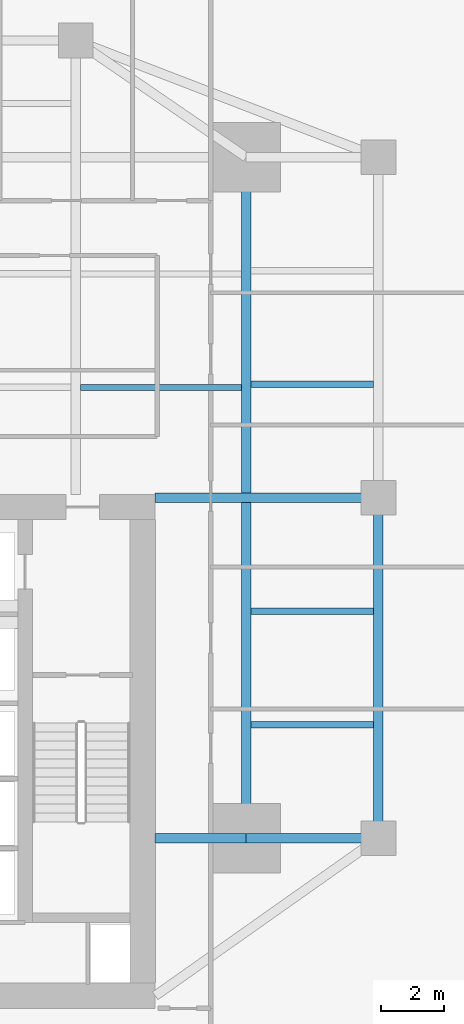
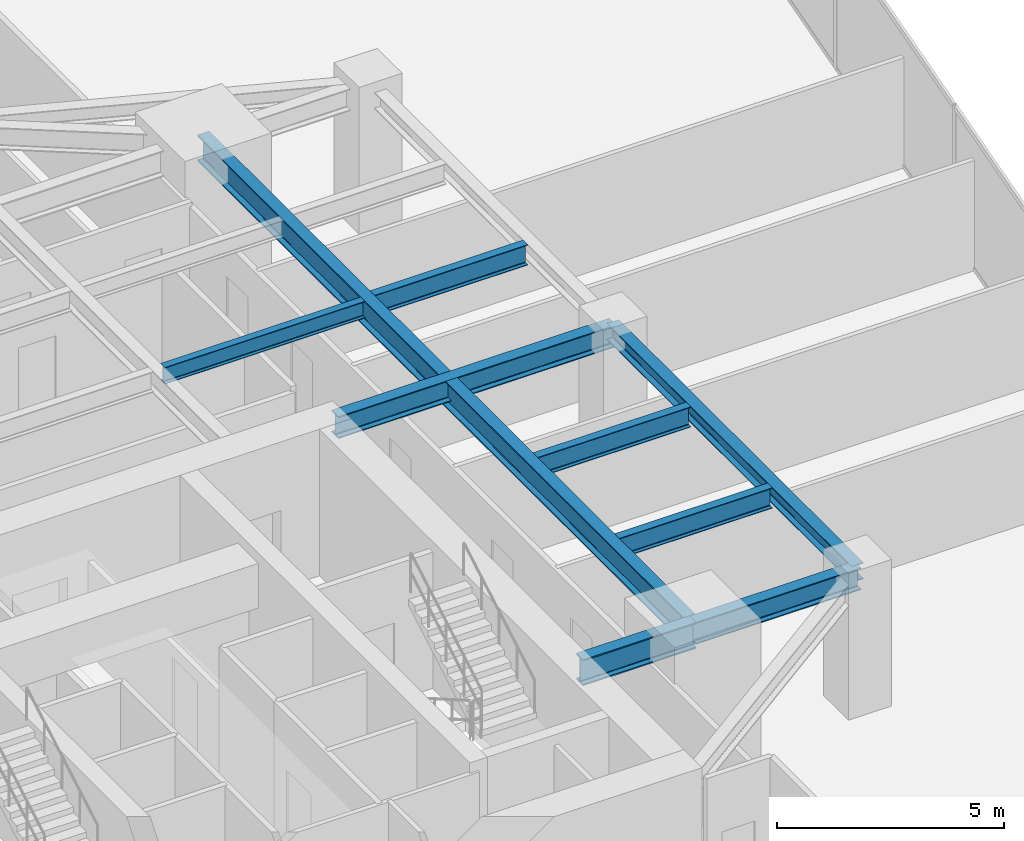
# One storey, part 13 of 29: 9 beams.
"""IFC4 building model written with IfcOpenShell, lengths in metres."""

import ifcopenshell
import ifcopenshell.guid

model = None  # the IFC model being written
_history = None  # IfcOwnerHistory: only IFC2X3 demands one
_inside = {}  # id of a spatial element -> (the spatial element, [elements in it])
_under = {}  # id of a project, library or spatial element -> (it, [spatial elements below it])
_declared = {}  # id of a project -> (the project, [libraries it declares])
_typed = {}  # id of a type object -> (the type object, [elements of that type])
_made_of = {}  # id of a material, layer set ... -> (it, [elements and type objects made of it])


def new_model(schema):
    """Start an empty IFC model of exactly this schema.

    Asked for "IFC4X3", IfcOpenShell would pick the latest addendum, in which some entities
    have other attributes; the version numbers below select the first issue.
    IFC2X3 requires an IfcOwnerHistory on every rooted entity: one is made here for all.
    """
    global model, _history
    if schema == "IFC4X3":
        model = ifcopenshell.file(schema_version=(4, 3, 0, 0))
    else:
        model = ifcopenshell.file(schema=schema)
    _inside.clear()
    _under.clear()
    _declared.clear()
    _typed.clear()
    _made_of.clear()
    _history = None
    if model.schema == "IFC2X3":
        org = make("IfcOrganization", Name="unknown")
        user = make(
            "IfcPersonAndOrganization",
            ThePerson=make("IfcPerson", FamilyName="unknown"),
            TheOrganization=org,
        )
        app = make(
            "IfcApplication",
            ApplicationDeveloper=org,
            Version="unknown",
            ApplicationFullName="unknown",
            ApplicationIdentifier="unknown",
        )
        _history = make(
            "IfcOwnerHistory",
            OwningUser=user,
            OwningApplication=app,
            ChangeAction="ADDED",
            CreationDate=0,
        )
    return model


def make(cls, **values):
    """One entity of the class cls with the attributes given. An attribute that is None is left unset."""
    return model.create_entity(
        cls, **{name: value for name, value in values.items() if value is not None}
    )


def rooted(cls, **values):
    """An entity with a GlobalId (a new one), such as an element, a storey or a relation."""
    return make(cls, GlobalId=ifcopenshell.guid.new(), OwnerHistory=_history, **values)


def si_unit(unit_type, name, prefix=None):
    """IfcSIUnit, for example si_unit("LENGTHUNIT", "METRE", prefix="MILLI")."""
    return make("IfcSIUnit", UnitType=unit_type, Prefix=prefix, Name=name)


def assignment(units):
    """IfcUnitAssignment: the units of a project."""
    return None if units is None else make("IfcUnitAssignment", Units=units)


def point(xyz):
    """IfcCartesianPoint."""
    return None if xyz is None else make("IfcCartesianPoint", Coordinates=xyz)


def direction(xyz):
    """IfcDirection."""
    return None if xyz is None else make("IfcDirection", DirectionRatios=xyz)


def frame(location, z_axis=None, x_axis=None):
    """IfcAxis2Placement3D, a coordinate frame: its origin and axes. An axis left out is left unset."""
    return make(
        "IfcAxis2Placement3D",
        Location=point(location),
        Axis=direction(z_axis),
        RefDirection=direction(x_axis),
    )


def frame_2d(location, x_axis=None):
    """IfcAxis2Placement2D, a coordinate frame in the plane: its origin and x axis."""
    return make(
        "IfcAxis2Placement2D", Location=point(location), RefDirection=direction(x_axis)
    )


def origin():
    """The frame at (0, 0, 0) with its axes left unset."""
    return frame((0.0, 0.0, 0.0))


def origin_2d():
    """The frame at (0, 0) in the plane with its x axis left unset."""
    return frame_2d((0.0, 0.0))


def place(relative_to, where):
    """IfcLocalPlacement: puts the frame where relative to a parent placement (None: the world)."""
    return make(
        "IfcLocalPlacement", PlacementRelTo=relative_to, RelativePlacement=where
    )


def context(
    kind, dimensions, precision=None, world=None, true_north=None, identifier=None
):
    """IfcGeometricRepresentationContext, for example the 3D "Model" context."""
    return make(
        "IfcGeometricRepresentationContext",
        ContextIdentifier=identifier,
        ContextType=kind,
        CoordinateSpaceDimension=dimensions,
        Precision=precision,
        WorldCoordinateSystem=world,
        TrueNorth=true_north,
    )


def subcontext(parent, identifier, kind, view, scale=None):
    """IfcGeometricRepresentationSubContext, for example "Body" below "Model"."""
    return make(
        "IfcGeometricRepresentationSubContext",
        ContextIdentifier=identifier,
        ContextType=kind,
        ParentContext=parent,
        TargetScale=scale,
        TargetView=view,
    )


def project(units=None, contexts=None):
    """IfcProject with its units and contexts."""
    return rooted(
        "IfcProject",
        Name="project",
        RepresentationContexts=contexts,
        UnitsInContext=assignment(units),
    )


def spatial(cls, under=None, at=None, **own):
    """A site, building, storey or space (cls), placed at a placement, below another one or the project."""
    s = rooted(cls, ObjectPlacement=at, **own)
    if under is not None:
        _under.setdefault(under.id(), (under, []))[1].append(s)
    return s


def profile(cls, at=None, kind="AREA", **sizes):
    """A parametric profile (cls). Its sizes go by their IFC names, for example OverallWidth=200.0."""
    return make(cls, ProfileType=kind, Position=at, **sizes)


def i_section(**sizes):
    """IfcIShapeProfileDef."""
    return profile("IfcIShapeProfileDef", **sizes)


def extrude(swept, where, along, depth):
    """IfcExtrudedAreaSolid: the profile swept, set in the frame where, extruded along a direction by depth."""
    return make(
        "IfcExtrudedAreaSolid",
        SweptArea=swept,
        Position=where,
        ExtrudedDirection=direction(along),
        Depth=depth,
    )


def shape(context_of_items, identifier, shape_type, items):
    """IfcShapeRepresentation: the items that make up one representation, for example the "Body"."""
    return make(
        "IfcShapeRepresentation",
        ContextOfItems=context_of_items,
        RepresentationIdentifier=identifier,
        RepresentationType=shape_type,
        Items=items,
    )


def source(mapping_origin, context_of_items, identifier, shape_type, items):
    """IfcRepresentationMap: a shape defined once, which mapped items show again and again."""
    return make(
        "IfcRepresentationMap",
        MappingOrigin=mapping_origin,
        MappedRepresentation=shape(context_of_items, identifier, shape_type, items),
    )


def transform(
    local_origin,
    x_axis=None,
    y_axis=None,
    z_axis=None,
    scale=None,
    scale2=None,
    scale3=None,
    uniform=True,
):
    """IfcCartesianTransformationOperator3D, or its non-uniform kind. x_axis, y_axis, z_axis: its Axis1, 2, 3."""
    if uniform:
        return make(
            "IfcCartesianTransformationOperator3D",
            Axis1=direction(x_axis),
            Axis2=direction(y_axis),
            LocalOrigin=point(local_origin),
            Scale=scale,
            Axis3=direction(z_axis),
        )
    return make(
        "IfcCartesianTransformationOperator3DnonUniform",
        Axis1=direction(x_axis),
        Axis2=direction(y_axis),
        LocalOrigin=point(local_origin),
        Scale=scale,
        Axis3=direction(z_axis),
        Scale2=scale2,
        Scale3=scale3,
    )


def mapped(mapping_source, mapping_target):
    """IfcMappedItem: shows the shape of a source again, moved by a transform."""
    return make(
        "IfcMappedItem", MappingSource=mapping_source, MappingTarget=mapping_target
    )


def material(Name=None, Category=None):
    """IfcMaterial."""
    return make("IfcMaterial", Name=Name, Category=Category)


def material_profile(
    of_material, cross_section, Name=None, Category=None, Priority=None
):
    """IfcMaterialProfile: a cross section and its material."""
    return make(
        "IfcMaterialProfile",
        Name=Name,
        Material=of_material,
        Profile=cross_section,
        Priority=Priority,
        Category=Category,
    )


def profile_set(profiles, Name=None, composite=None):
    """IfcMaterialProfileSet."""
    return make(
        "IfcMaterialProfileSet",
        Name=Name,
        MaterialProfiles=profiles,
        CompositeProfile=composite,
    )


def made_of(thing, what):
    """Note that an element or type object is made of a material, layer set ...; save() writes the relation."""
    if what is not None:
        _made_of.setdefault(what.id(), (what, []))[1].append(thing)
    return thing


def type_object(cls, material=None, **own):
    """A type object (cls), such as IfcWallType, which elements share."""
    return made_of(rooted(cls, **own), material)


def type_shapes(of_type, sources):
    """Give a type object the sources (RepresentationMaps) that its elements show as mapped items."""
    of_type.RepresentationMaps = sources


def element(
    cls,
    number,
    at=None,
    inside=None,
    cuts=None,
    type_object=None,
    material=None,
    context=None,
    identifier="Body",
    shape_type=None,
    held_by="IfcProductDefinitionShape",
    body=None,
    shapes=None,
    **own,
):
    """One element of the class cls, such as IfcWall. Its Tag is "e" and its number.

    at: its placement. inside: the storey or other place that contains it. cuts: it is an
    opening in that element (IfcRelVoidsElement). A single representation is given by context,
    identifier, shape_type and body (its items); several are given by shapes. held_by: the class
    of the entity that holds the representations. save() writes the other relations.
    """
    e = rooted(cls, Tag="e%d" % number, ObjectPlacement=at, **own)
    if body is not None:
        shapes = [shape(context, identifier, shape_type, body)]
    if shapes is not None:
        e.Representation = make(held_by, Representations=shapes)
    if inside is not None:
        _inside.setdefault(inside.id(), (inside, []))[1].append(e)
    if cuts is not None:
        rooted(
            "IfcRelVoidsElement", RelatingBuildingElement=cuts, RelatedOpeningElement=e
        )
    if type_object is not None:
        _typed.setdefault(type_object.id(), (type_object, []))[1].append(e)
    return made_of(e, material)


def aggregate(whole, parts):
    """IfcRelAggregates: a whole, such as a stair, and the parts it consists of."""
    return rooted("IfcRelAggregates", RelatingObject=whole, RelatedObjects=parts)


def save(model, path):
    """Write the relations noted so far, then the file.

    IfcRelAggregates (storeys below a building ...), IfcRelContainedInSpatialStructure (elements
    in a storey), IfcRelDefinesByType, IfcRelAssociatesMaterial and IfcRelDeclares: one each for
    every whole, place, type object, material and project.
    """
    for whole, parts in _under.values():
        aggregate(whole, parts)
    for where, things in _inside.values():
        rooted(
            "IfcRelContainedInSpatialStructure",
            RelatedElements=things,
            RelatingStructure=where,
        )
    for kind, things in _typed.values():
        rooted("IfcRelDefinesByType", RelatedObjects=things, RelatingType=kind)
    for what, things in _made_of.values():
        rooted("IfcRelAssociatesMaterial", RelatedObjects=things, RelatingMaterial=what)
    for by, libraries in _declared.values():
        rooted("IfcRelDeclares", RelatingContext=by, RelatedDefinitions=libraries)
    model.write(path)


model = new_model("IFC4")

# Units and contexts
model_context = context("Model", 3, precision=1e-05, world=origin(), true_north=direction((0.0, 1.0)))
body_context = subcontext(model_context, "Body", "Model", "MODEL_VIEW")
ifc_project = project(units=[si_unit("LENGTHUNIT", "METRE"), si_unit("AREAUNIT", "SQUARE_METRE"), si_unit("VOLUMEUNIT", "CUBIC_METRE"), si_unit("PLANEANGLEUNIT", "RADIAN"), si_unit("MASSUNIT", "GRAM", prefix="KILO")], contexts=[model_context])

# Site, building, storey
site_placement = place(None, origin())
site = spatial("IfcSite", under=ifc_project, at=site_placement, CompositionType="ELEMENT")
building_placement = place(site_placement, origin())
building = spatial("IfcBuilding", under=site, at=building_placement, Name="Krantzveldt Concourse Tower", CompositionType="ELEMENT")
storey_placement = place(building_placement, frame((0.0, 0.0, 72.39990234375)))
storey = spatial("IfcBuildingStorey", under=building, at=storey_placement, Name="L17", CompositionType="ELEMENT", Elevation=72.39990234375)

# Beams
ifc_material_1 = material(Name="Steel S355J2", Category="steel")
ifc_material_profile_1 = material_profile(ifc_material_1, i_section(OverallWidth=0.300048828125, OverallDepth=0.699951171875, WebThickness=0.01708984375, FlangeThickness=0.031982421875, FilletRadius=0.027099609375, at=origin_2d()), Name="Steel S355J2", Category="steel")
ifc_profile_set_1 = profile_set([ifc_material_profile_1], Name="Steel S355J2 - HEB 700")
beam_type_1 = type_object("IfcBeamType", Name="BM-B-HEB700", PredefinedType="BEAM", material=ifc_profile_set_1)
shared_shape_1 = source(origin(), body_context, "Body", "SweptSolid", [
    extrude(i_section(OverallWidth=0.300048828125, OverallDepth=0.699951171875, WebThickness=0.01708984375, FlangeThickness=0.031982421875, FilletRadius=0.027099609375, at=origin_2d()), origin(), (0.0, 0.0, 1.0), 2.880126953125),
])
beam_1_placement = place(storey_placement, frame((43.919921875, 15.89990234375, 3.320068359375), z_axis=(1.0, 0.0, 0.0), x_axis=(0.0, 1.0, 0.0)))
element("IfcBeam", 1, at=beam_1_placement, inside=storey, type_object=beam_type_1, Name="L17 Tower Girder BG-CE1", PredefinedType="BEAM", context=body_context, shape_type="MappedRepresentation", body=[
    mapped(shared_shape_1, transform((0.0, 0.0, 0.0), x_axis=(1.0, 0.0, 0.0), y_axis=(0.0, 1.0, 0.0), z_axis=(0.0, 0.0, 1.0), scale=1.0)),
])
shared_shape_2 = source(origin(), body_context, "Body", "SweptSolid", [
    extrude(i_section(OverallWidth=0.300048828125, OverallDepth=0.699951171875, WebThickness=0.01708984375, FlangeThickness=0.031982421875, FilletRadius=0.027099609375, at=origin_2d()), origin(), (0.0, 0.0, 1.0), 21.60009765625),
])
type_shapes(beam_type_1, [shared_shape_1, shared_shape_2])
beam_2_placement = place(storey_placement, frame((46.800048828125, 15.89990234375, 3.320068359375), z_axis=(0.0, 1.0, 0.0), x_axis=(-1.0, 0.0, 0.0)))
element("IfcBeam", 2, at=beam_2_placement, inside=storey, type_object=beam_type_1, Name="L17 Tower Girder BG-ME", PredefinedType="BEAM", context=body_context, shape_type="MappedRepresentation", body=[
    mapped(shared_shape_2, transform((0.0, 0.0, 0.0), x_axis=(1.0, 0.0, 0.0), y_axis=(0.0, 1.0, 0.0), z_axis=(0.0, 0.0, 1.0), scale=1.0)),
])
ifc_material_2 = material(Name="Steel S355JR", Category="steel")
ifc_material_profile_2 = material_profile(ifc_material_2, i_section(OverallWidth=0.300048828125, OverallDepth=0.590087890625, WebThickness=0.012939453125, FlangeThickness=0.02490234375, FilletRadius=0.027099609375, at=origin_2d()), Name="Steel S355JR", Category="steel")
ifc_profile_set_2 = profile_set([ifc_material_profile_2], Name="Steel S355JR - HEA 600")
beam_type_2 = type_object("IfcBeamType", Name="BM-B-HEA600", PredefinedType="BEAM", material=ifc_profile_set_2)
shared_shape_3 = source(origin(), body_context, "Body", "SweptSolid", [
    extrude(i_section(OverallWidth=0.300048828125, OverallDepth=0.590087890625, WebThickness=0.012939453125, FlangeThickness=0.02490234375, FilletRadius=0.027099609375, at=origin_2d()), origin(), (0.0, 0.0, 1.0), 7.080078125),
])
beam_3_placement = place(storey_placement, frame((43.919921875, 26.699951171875, 3.375), z_axis=(1.0, 0.0, 0.0), x_axis=(0.0, 1.0, 0.0)))
element("IfcBeam", 3, at=beam_3_placement, inside=storey, type_object=beam_type_2, Name="L17 Tower Girder BG-CE2", PredefinedType="BEAM", context=body_context, shape_type="MappedRepresentation", body=[
    mapped(shared_shape_3, transform((0.0, 0.0, 0.0), x_axis=(1.0, 0.0, 0.0), y_axis=(0.0, 1.0, 0.0), z_axis=(0.0, 0.0, 1.0), scale=1.0)),
])
ifc_material_profile_3 = material_profile(ifc_material_2, i_section(OverallWidth=0.300048828125, OverallDepth=0.43994140625, WebThickness=0.011474609375, FlangeThickness=0.02099609375, FilletRadius=0.027099609375, at=origin_2d()), Name="Steel S355JR", Category="steel")
ifc_profile_set_3 = profile_set([ifc_material_profile_3], Name="Steel S355JR - HEA 450")
beam_type_3 = type_object("IfcBeamType", Name="BM-SP-HEA450", PredefinedType="SPANDREL", material=ifc_profile_set_3)
shared_shape_4 = source(origin(), body_context, "Body", "SweptSolid", [
    extrude(i_section(OverallWidth=0.300048828125, OverallDepth=0.43994140625, WebThickness=0.011474609375, FlangeThickness=0.02099609375, FilletRadius=0.027099609375, at=origin_2d()), origin(), (0.0, 0.0, 1.0), 10.800048828125),
])
type_shapes(beam_type_3, [shared_shape_4])
beam_4_placement = place(storey_placement, frame((51.0, 26.699951171875, 3.4501953125), z_axis=(0.0, -1.0, 0.0), x_axis=(1.0, 0.0, 0.0)))
element("IfcBeam", 4, at=beam_4_placement, inside=storey, type_object=beam_type_3, Name="L17 Tower Girder SP-R07", PredefinedType="SPANDREL", context=body_context, shape_type="MappedRepresentation", body=[
    mapped(shared_shape_4, transform((0.0, 0.0, 0.0), x_axis=(1.0, 0.0, 0.0), y_axis=(0.0, 1.0, 0.0), z_axis=(0.0, 0.0, 1.0), scale=1.0)),
])
shared_shape_5 = source(origin(), body_context, "Body", "SweptSolid", [
    extrude(i_section(OverallWidth=0.300048828125, OverallDepth=0.590087890625, WebThickness=0.012939453125, FlangeThickness=0.02490234375, FilletRadius=0.027099609375, at=origin_2d()), origin(), (0.0, 0.0, 1.0), 4.199951171875),
])
type_shapes(beam_type_2, [shared_shape_3, shared_shape_5])
beam_5_placement = place(storey_placement, frame((46.800048828125, 15.89990234375, 3.375), z_axis=(1.0, 0.0, 0.0), x_axis=(0.0, 1.0, 0.0)))
element("IfcBeam", 5, at=beam_5_placement, inside=storey, type_object=beam_type_2, Name="L17 Tower Girder BR-RR1", PredefinedType="BEAM", context=body_context, shape_type="MappedRepresentation", body=[
    mapped(shared_shape_5, transform((0.0, 0.0, 0.0), x_axis=(1.0, 0.0, 0.0), y_axis=(0.0, 1.0, 0.0), z_axis=(0.0, 0.0, 1.0), scale=1.0)),
])
ifc_material_profile_4 = material_profile(ifc_material_2, i_section(OverallWidth=0.18994140625, OverallDepth=0.449951171875, WebThickness=0.009521484375, FlangeThickness=0.0146484375, FilletRadius=0.02099609375, at=origin_2d()), Name="Steel S355JR", Category="steel")
ifc_profile_set_4 = profile_set([ifc_material_profile_4], Name="Steel S355JR - IPE 450")
beam_type_4 = type_object("IfcBeamType", Name="BM-J-IPE450", PredefinedType="JOIST", material=ifc_profile_set_4)
shared_shape_6 = source(origin(), body_context, "Body", "SweptSolid", [
    extrude(i_section(OverallWidth=0.18994140625, OverallDepth=0.449951171875, WebThickness=0.009521484375, FlangeThickness=0.0146484375, FilletRadius=0.02099609375, at=origin_2d()), origin(), (0.0, 0.0, 1.0), 5.099853515625),
])
type_shapes(beam_type_4, [shared_shape_6])
beam_6_placement = place(storey_placement, frame((41.550048828125, 30.199951171875, 3.445068359375), z_axis=(1.0, 0.0, 0.0), x_axis=(0.0, 1.0, 0.0)))
element("IfcBeam", 6, at=beam_6_placement, inside=storey, type_object=beam_type_4, Name="L17 Secondary Floor Joist JN-E1", PredefinedType="JOIST", context=body_context, shape_type="MappedRepresentation", body=[
    mapped(shared_shape_6, transform((0.0, 0.0, 0.0), x_axis=(1.0, 0.0, 0.0), y_axis=(0.0, 1.0, 0.0), z_axis=(0.0, 0.0, 1.0), scale=1.0)),
])
ifc_material_profile_5 = material_profile(ifc_material_2, i_section(OverallWidth=0.2099609375, OverallDepth=0.550048828125, WebThickness=0.010986328125, FlangeThickness=0.01708984375, FilletRadius=0.02392578125, at=origin_2d()), Name="Steel S355JR", Category="steel")
ifc_profile_set_5 = profile_set([ifc_material_profile_5], Name="Steel S355JR - IPE 550")
beam_type_5 = type_object("IfcBeamType", Name="BM-J-IPE550", PredefinedType="JOIST", material=ifc_profile_set_5)
shared_shape_7 = source(origin(), body_context, "Body", "SweptSolid", [
    extrude(i_section(OverallWidth=0.2099609375, OverallDepth=0.550048828125, WebThickness=0.010986328125, FlangeThickness=0.01708984375, FilletRadius=0.02392578125, at=origin_2d()), origin(), (0.0, 0.0, 1.0), 3.900146484375),
])
type_shapes(beam_type_5, [shared_shape_7])
for number, where, z_axis, x_axis, name in (
    (7, (46.949951171875, 19.5, 3.39501953125), (1.0, 0.0, 0.0), (0.0, 1.0, 0.0), "L17 Secondary Floor Joist JE-1"),
    (8, (46.949951171875, 23.10009765625, 3.39501953125), (1.0, 0.0, 0.0), (0.0, 1.0, 0.0), "L17 Secondary Floor Joist JE-2"),
    (9, (46.949951171875, 30.300048828125, 3.39501953125), (1.0, 0.0, 0.0), (0.0, 1.0, 0.0), "L17 Secondary Floor Joist JE-3"),
):
    element("IfcBeam", number, at=place(storey_placement, frame(where, z_axis=z_axis, x_axis=x_axis)), inside=storey, type_object=beam_type_5, Name=name, PredefinedType="JOIST", context=body_context, shape_type="MappedRepresentation", body=[
        mapped(shared_shape_7, transform((0.0, 0.0, 0.0), x_axis=(1.0, 0.0, 0.0), y_axis=(0.0, 1.0, 0.0), z_axis=(0.0, 0.0, 1.0), scale=1.0)),
    ])

save(model, "model.ifc")
